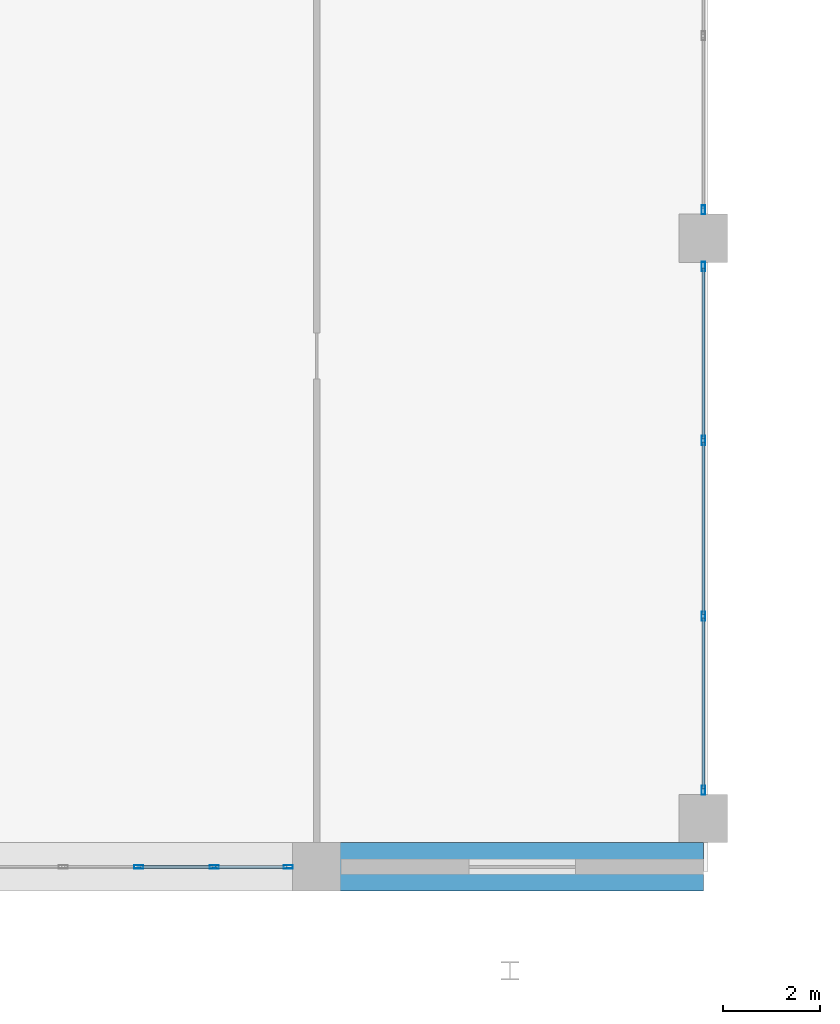
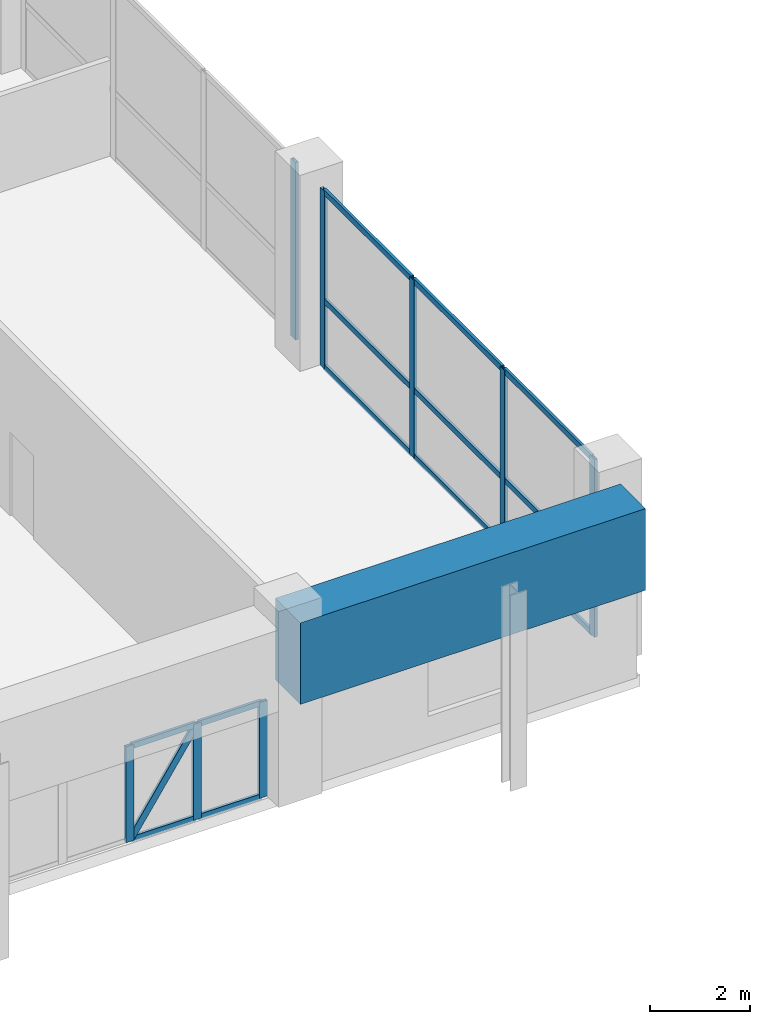
# One storey, part 12 of 44: 22 members, 1 beam, 3 elements without a shape of their own.
"""IFC4 building model written with IfcOpenShell, lengths in metres."""

from ifc_helpers import new_model, si_unit, derived_unit, direction, frame, origin, origin_2d, place, context, subcontext, project, spatial, rectangle, hollow_rectangle, extrude, source, transform, mapped, material, layer, layer_set, material_profile, profile_set, type_object, element, aggregate, save


model = new_model("IFC4")

# Units and contexts
model_context = context("Model", 3, precision=1e-05, world=origin(), true_north=direction((0.0, 1.0)))
body_context = subcontext(model_context, "Body", "Model", "MODEL_VIEW")
ifc_project = project(units=[si_unit("LENGTHUNIT", "METRE"), si_unit("AREAUNIT", "SQUARE_METRE"), si_unit("VOLUMEUNIT", "CUBIC_METRE"), si_unit("PLANEANGLEUNIT", "RADIAN"), si_unit("MASSUNIT", "GRAM", prefix="KILO"), derived_unit("THERMALTRANSMITTANCEUNIT", [(si_unit("POWERUNIT", "WATT"), 1), (si_unit("LENGTHUNIT", "METRE"), -2), (si_unit("THERMODYNAMICTEMPERATUREUNIT", "KELVIN"), -1)])], contexts=[model_context])

# Site, building, storey
site_placement = place(None, origin())
site = spatial("IfcSite", under=ifc_project, at=site_placement, CompositionType="ELEMENT")
building_placement = place(site_placement, origin())
building = spatial("IfcBuilding", under=site, at=building_placement, Name="Korsvarv Bourse and Concert Hall", CompositionType="ELEMENT")
storey_placement = place(building_placement, frame((0.0, 0.0, 9.60009765625)))
storey = spatial("IfcBuildingStorey", under=building, at=storey_placement, Name="L02", CompositionType="ELEMENT", Elevation=9.60009765625)

# Beam
ifc_material_1 = material(Name="Concrete C60/75", Category="concrete")
ifc_material_profile_1 = material_profile(ifc_material_1, rectangle(XDim=1.0, YDim=2.0, at=origin_2d()), Name="RC-BM 1000x2000")
ifc_profile_set_1 = profile_set([ifc_material_profile_1], Name="Concrete C60/75")
beam_type = type_object("IfcBeamType", Name="BM-TR1", PredefinedType="BEAM", material=ifc_profile_set_1)
shared_shape_1 = source(origin(), body_context, "Body", "SweptSolid", [
    extrude(rectangle(XDim=1.0, YDim=2.0, at=origin_2d()), origin(), (0.0, 0.0, 1.0), 8.0),
])
beam_placement = place(storey_placement, frame((58.0, 3.0, 3.349853515625), z_axis=(1.0, 0.0, 0.0), x_axis=(0.0, 1.0, 0.0)))
element("IfcBeam", 1, at=beam_placement, inside=storey, type_object=beam_type, Name="L02 beam B-TR1", PredefinedType="BEAM", context=body_context, shape_type="MappedRepresentation", body=[
    mapped(shared_shape_1, transform((0.0, 0.0, 0.0), scale=1.0)),
])

# Curtain wall, members
ifc_material_2 = material(Name="Anodised aluminium and triple low-E glazing", Category="glass")
ifc_layer = layer(ifc_material_2, 0.239990234375)
ifc_layer_set = layer_set([ifc_layer], Name="Anodised aluminium and triple low-E glazing")
curtain_wall_type = type_object("IfcCurtainWallType", Name="CW-SYS-5", PredefinedType="NOTDEFINED", material=ifc_layer_set)
curtain_wall_1_placement = place(storey_placement, origin())
curtain_wall_1 = element("IfcCurtainWall", 2, at=curtain_wall_1_placement, inside=storey, type_object=curtain_wall_type, Name="L02 CW5 curtain wall CW-L02-E1", PredefinedType="NOTDEFINED")
ifc_material_3 = material(Name="Extruded aluminium EN AW-6063 T66", Category="aluminium")
ifc_material_profile_2 = material_profile(ifc_material_3, hollow_rectangle(XDim=0.06494140625, YDim=0.139892578125, WallThickness=0.00390625, at=origin_2d()), Name="ALU-T 65x140")
ifc_profile_set_2 = profile_set([ifc_material_profile_2], Name="Extruded aluminium EN AW-6063 T66")
member_type_1 = type_object("IfcMemberType", Name="CWT-140", PredefinedType="USERDEFINED", material=ifc_profile_set_2)
shared_shape_2 = source(origin(), body_context, "Body", "SweptSolid", [
    extrude(hollow_rectangle(XDim=0.06494140625, YDim=0.139892578125, WallThickness=0.00390625, at=origin_2d()), origin(), (0.0, 0.0, 1.0), 3.5283203125),
])
member_1_placement = place(storey_placement, frame((66.0, 4.6201171875, 0.032470703125), z_axis=(0.0, 1.0, 0.0), x_axis=(-1.0, 0.0, 0.0)))
member_1 = element("IfcMember", 3, at=member_1_placement, type_object=member_type_1, Name="CW5 transom 1.1", ObjectType="TRANSOM", PredefinedType="USERDEFINED", context=body_context, shape_type="MappedRepresentation", body=[
    mapped(shared_shape_2, transform((0.0, 0.0, 0.0), scale=1.0)),
])
member_2_placement = place(storey_placement, frame((66.0, 4.6201171875, 1.65283203125), z_axis=(0.0, 1.0, 0.0), x_axis=(-1.0, 0.0, 0.0)))
member_2 = element("IfcMember", 4, at=member_2_placement, type_object=member_type_1, Name="CW5 transom 1.2", ObjectType="TRANSOM", PredefinedType="USERDEFINED", context=body_context, shape_type="MappedRepresentation", body=[
    mapped(shared_shape_2, transform((0.0, 0.0, 0.0), scale=1.0)),
])
member_3_placement = place(storey_placement, frame((66.0, 4.6201171875, 4.3173828125), z_axis=(0.0, 1.0, 0.0), x_axis=(-1.0, 0.0, 0.0)))
member_3 = element("IfcMember", 5, at=member_3_placement, type_object=member_type_1, Name="CW5 transom 1.3", ObjectType="TRANSOM", PredefinedType="USERDEFINED", context=body_context, shape_type="MappedRepresentation", body=[
    mapped(shared_shape_2, transform((0.0, 0.0, 0.0), scale=1.0)),
])
member_4_placement = place(storey_placement, frame((66.0, 11.8515625, 0.032470703125), z_axis=(0.0, 1.0, 0.0), x_axis=(-1.0, 0.0, 0.0)))
member_4 = element("IfcMember", 6, at=member_4_placement, type_object=member_type_1, Name="CW5 transom 3.1", ObjectType="TRANSOM", PredefinedType="USERDEFINED", context=body_context, shape_type="MappedRepresentation", body=[
    mapped(shared_shape_2, transform((0.0, 0.0, 0.0), scale=1.0)),
])
member_5_placement = place(storey_placement, frame((66.0, 11.8515625, 1.65283203125), z_axis=(0.0, 1.0, 0.0), x_axis=(-1.0, 0.0, 0.0)))
member_5 = element("IfcMember", 7, at=member_5_placement, type_object=member_type_1, Name="CW5 transom 3.2", ObjectType="TRANSOM", PredefinedType="USERDEFINED", context=body_context, shape_type="MappedRepresentation", body=[
    mapped(shared_shape_2, transform((0.0, 0.0, 0.0), scale=1.0)),
])
member_6_placement = place(storey_placement, frame((66.0, 11.8515625, 4.3173828125), z_axis=(0.0, 1.0, 0.0), x_axis=(-1.0, 0.0, 0.0)))
member_6 = element("IfcMember", 8, at=member_6_placement, type_object=member_type_1, Name="CW5 transom 3.3", ObjectType="TRANSOM", PredefinedType="USERDEFINED", context=body_context, shape_type="MappedRepresentation", body=[
    mapped(shared_shape_2, transform((0.0, 0.0, 0.0), scale=1.0)),
])
shared_shape_3 = source(origin(), body_context, "Body", "SweptSolid", [
    extrude(hollow_rectangle(XDim=0.06494140625, YDim=0.139892578125, WallThickness=0.00390625, at=origin_2d()), origin(), (0.0, 0.0, 1.0), 3.5634765625),
])
member_7_placement = place(storey_placement, frame((66.0, 8.21826171875, 0.032470703125), z_axis=(0.0, 1.0, 0.0), x_axis=(-1.0, 0.0, 0.0)))
member_7 = element("IfcMember", 9, at=member_7_placement, type_object=member_type_1, Name="CW5 transom 2.1", ObjectType="TRANSOM", PredefinedType="USERDEFINED", context=body_context, shape_type="MappedRepresentation", body=[
    mapped(shared_shape_3, transform((0.0, 0.0, 0.0), scale=1.0)),
])
member_8_placement = place(storey_placement, frame((66.0, 8.21826171875, 1.65283203125), z_axis=(0.0, 1.0, 0.0), x_axis=(-1.0, 0.0, 0.0)))
member_8 = element("IfcMember", 10, at=member_8_placement, type_object=member_type_1, Name="CW5 transom 2.2", ObjectType="TRANSOM", PredefinedType="USERDEFINED", context=body_context, shape_type="MappedRepresentation", body=[
    mapped(shared_shape_3, transform((0.0, 0.0, 0.0), scale=1.0)),
])
member_9_placement = place(storey_placement, frame((66.0, 8.21826171875, 4.3173828125), z_axis=(0.0, 1.0, 0.0), x_axis=(-1.0, 0.0, 0.0)))
member_9 = element("IfcMember", 11, at=member_9_placement, type_object=member_type_1, Name="CW5 transom 2.3", ObjectType="TRANSOM", PredefinedType="USERDEFINED", context=body_context, shape_type="MappedRepresentation", body=[
    mapped(shared_shape_3, transform((0.0, 0.0, 0.0), scale=1.0)),
])

curtain_wall_2_placement = place(storey_placement, origin())
curtain_wall_2 = element("IfcCurtainWall", 12, at=curtain_wall_2_placement, inside=storey, type_object=curtain_wall_type, Name="L02 CW5 curtain wall CW-L02-S5", PredefinedType="NOTDEFINED")
ifc_material_profile_3 = material_profile(ifc_material_3, hollow_rectangle(XDim=0.070068359375, YDim=0.18994140625, WallThickness=0.0048828125, at=origin_2d()), Name="ALU-M 70x190")
ifc_profile_set_3 = profile_set([ifc_material_profile_3], Name="Extruded aluminium EN AW-6063 T66")
member_type_2 = type_object("IfcMemberType", Name="CWM-190", PredefinedType="MULLION", material=ifc_profile_set_3)
shared_shape_4 = source(origin(), body_context, "Body", "SweptSolid", [
    extrude(hollow_rectangle(XDim=0.070068359375, YDim=0.18994140625, WallThickness=0.0048828125, at=origin_2d()), origin(), (0.0, 0.0, 1.0), 2.349853515625),
])
member_10_placement = place(storey_placement, frame((54.324951171875, 3.0, 0.0), z_axis=(0.0, 0.0, 1.0), x_axis=(0.0, 1.0, 0.0)))
member_10 = element("IfcMember", 13, at=member_10_placement, type_object=member_type_2, Name="CW5 mullion 7", PredefinedType="MULLION", context=body_context, shape_type="MappedRepresentation", body=[
    mapped(shared_shape_4, transform((0.0, 0.0, 0.0), scale=1.0)),
])
member_11_placement = place(storey_placement, frame((55.887451171875, 3.0, 0.0), z_axis=(0.0, 0.0, 1.0), x_axis=(0.0, 1.0, 0.0)))
member_11 = element("IfcMember", 14, at=member_11_placement, type_object=member_type_2, Name="CW5 mullion 8", PredefinedType="MULLION", context=body_context, shape_type="MappedRepresentation", body=[
    mapped(shared_shape_4, transform((0.0, 0.0, 0.0), scale=1.0)),
])
member_12_placement = place(storey_placement, frame((57.4150390625, 3.0, 0.0), z_axis=(0.0, 0.0, 1.0), x_axis=(0.0, 1.0, 0.0)))
member_12 = element("IfcMember", 15, at=member_12_placement, type_object=member_type_2, Name="CW5 mullion 9", PredefinedType="MULLION", context=body_context, shape_type="MappedRepresentation", body=[
    mapped(shared_shape_4, transform((0.0, 0.0, 0.0), scale=1.0)),
])
shared_shape_5 = source(origin(), body_context, "Body", "SweptSolid", [
    extrude(hollow_rectangle(XDim=0.06494140625, YDim=0.139892578125, WallThickness=0.00390625, at=origin_2d()), origin(), (0.0, 0.0, 1.0), 1.457275390625),
])
member_13_placement = place(storey_placement, frame((55.922607421875, 3.0, 0.032470703125), z_axis=(1.0, 0.0, 0.0), x_axis=(0.0, 1.0, 0.0)))
member_13 = element("IfcMember", 16, at=member_13_placement, type_object=member_type_1, Name="CW5 transom 8.1", ObjectType="TRANSOM", PredefinedType="USERDEFINED", context=body_context, shape_type="MappedRepresentation", body=[
    mapped(shared_shape_5, transform((0.0, 0.0, 0.0), scale=1.0)),
])
member_14_placement = place(storey_placement, frame((55.922607421875, 3.0, 2.3173828125), z_axis=(1.0, 0.0, 0.0), x_axis=(0.0, 1.0, 0.0)))
member_14 = element("IfcMember", 17, at=member_14_placement, type_object=member_type_1, Name="CW5 transom 8.2", ObjectType="TRANSOM", PredefinedType="USERDEFINED", context=body_context, shape_type="MappedRepresentation", body=[
    mapped(shared_shape_5, transform((0.0, 0.0, 0.0), scale=1.0)),
])
shared_shape_6 = source(origin(), body_context, "Body", "SweptSolid", [
    extrude(hollow_rectangle(XDim=0.06494140625, YDim=0.139892578125, WallThickness=0.00390625, at=origin_2d()), origin(), (0.0, 0.0, 1.0), 1.492431640625),
])
member_15_placement = place(storey_placement, frame((54.360107421875, 3.0, 0.032470703125), z_axis=(1.0, 0.0, 0.0), x_axis=(0.0, 1.0, 0.0)))
member_15 = element("IfcMember", 18, at=member_15_placement, type_object=member_type_1, Name="CW5 transom 7.1", ObjectType="TRANSOM", PredefinedType="USERDEFINED", context=body_context, shape_type="MappedRepresentation", body=[
    mapped(shared_shape_6, transform((0.0, 0.0, 0.0), scale=1.0)),
])
member_16_placement = place(storey_placement, frame((54.360107421875, 3.0, 2.3173828125), z_axis=(1.0, 0.0, 0.0), x_axis=(0.0, 1.0, 0.0)))
member_16 = element("IfcMember", 19, at=member_16_placement, type_object=member_type_1, Name="CW5 transom 7.2", ObjectType="TRANSOM", PredefinedType="USERDEFINED", context=body_context, shape_type="MappedRepresentation", body=[
    mapped(shared_shape_6, transform((0.0, 0.0, 0.0), scale=1.0)),
])
ifc_material_profile_4 = material_profile(ifc_material_3, hollow_rectangle(XDim=0.06494140625, YDim=0.1650390625, WallThickness=0.0048828125, at=origin_2d()), Name="ALU-M 65x165")
ifc_profile_set_4 = profile_set([ifc_material_profile_4], Name="Extruded aluminium EN AW-6063 T66")
member_type_3 = type_object("IfcMemberType", Name="CWM-165", PredefinedType="MULLION", material=ifc_profile_set_4)
shared_shape_7 = source(origin(), body_context, "Body", "SweptSolid", [
    extrude(hollow_rectangle(XDim=0.06494140625, YDim=0.1650390625, WallThickness=0.0048828125, at=origin_2d()), origin(), (0.0, 0.0, 1.0), 2.675048828125),
])
member_17_placement = place(storey_placement, frame((54.360107421875, 3.0, 0.06494140625), z_axis=(0.557918482421, 0.0, 0.829895756691), x_axis=(0.0, 1.0, 0.0)))
member_17 = element("IfcMember", 20, at=member_17_placement, type_object=member_type_3, Name="CW5 diagonal mullion 7", PredefinedType="MULLION", context=body_context, shape_type="MappedRepresentation", body=[
    mapped(shared_shape_7, transform((0.0, 0.0, 0.0), scale=1.0)),
])
aggregate(curtain_wall_2, [member_10, member_11, member_12, member_15, member_16, member_17, member_13, member_14])

# Member
shared_shape_8 = source(origin(), body_context, "Body", "SweptSolid", [
    extrude(hollow_rectangle(XDim=0.070068359375, YDim=0.18994140625, WallThickness=0.0048828125, at=origin_2d()), origin(), (0.0, 0.0, 1.0), 4.349853515625),
])
member_18_placement = place(storey_placement, frame((66.0, 4.5849609375, 0.0), z_axis=(0.0, 0.0, 1.0), x_axis=(-1.0, 0.0, 0.0)))
member_18 = element("IfcMember", 21, at=member_18_placement, type_object=member_type_2, Name="CW5 mullion 1", PredefinedType="MULLION", context=body_context, shape_type="MappedRepresentation", body=[
    mapped(shared_shape_8, transform((0.0, 0.0, 0.0), scale=1.0)),
])

member_19_placement = place(storey_placement, frame((66.0, 8.183349609375, 0.0), z_axis=(0.0, 0.0, 1.0), x_axis=(-1.0, 0.0, 0.0)))
member_19 = element("IfcMember", 22, at=member_19_placement, type_object=member_type_2, Name="CW5 mullion 2", PredefinedType="MULLION", context=body_context, shape_type="MappedRepresentation", body=[
    mapped(shared_shape_8, transform((0.0, 0.0, 0.0), scale=1.0)),
])

member_20_placement = place(storey_placement, frame((66.0, 11.816650390625, 0.0), z_axis=(0.0, 0.0, 1.0), x_axis=(-1.0, 0.0, 0.0)))
member_20 = element("IfcMember", 23, at=member_20_placement, type_object=member_type_2, Name="CW5 mullion 3", PredefinedType="MULLION", context=body_context, shape_type="MappedRepresentation", body=[
    mapped(shared_shape_8, transform((0.0, 0.0, 0.0), scale=1.0)),
])

member_21_placement = place(storey_placement, frame((66.0, 15.4150390625, 0.0), z_axis=(0.0, 0.0, 1.0), x_axis=(-1.0, 0.0, 0.0)))
member_21 = element("IfcMember", 24, at=member_21_placement, type_object=member_type_2, Name="CW5 mullion 4", PredefinedType="MULLION", context=body_context, shape_type="MappedRepresentation", body=[
    mapped(shared_shape_8, transform((0.0, 0.0, 0.0), scale=1.0)),
])

aggregate(curtain_wall_1, [member_18, member_19, member_20, member_21, member_1, member_2, member_3, member_7, member_8, member_9, member_4, member_5, member_6])

# Curtain wall, member
curtain_wall_3_placement = place(storey_placement, origin())
curtain_wall_3 = element("IfcCurtainWall", 25, at=curtain_wall_3_placement, inside=storey, type_object=curtain_wall_type, Name="L02 CW5 curtain wall CW-L02-E2-1", PredefinedType="NOTDEFINED")
member_22_placement = place(storey_placement, frame((66.0, 16.5849609375, 0.0), z_axis=(0.0, 0.0, 1.0), x_axis=(-1.0, 0.0, 0.0)))
member_22 = element("IfcMember", 26, at=member_22_placement, type_object=member_type_2, Name="CW5 mullion 1", PredefinedType="MULLION", context=body_context, shape_type="MappedRepresentation", body=[
    mapped(shared_shape_8, transform((0.0, 0.0, 0.0), scale=1.0)),
])
aggregate(curtain_wall_3, [member_22])

save(model, "model.ifc")
